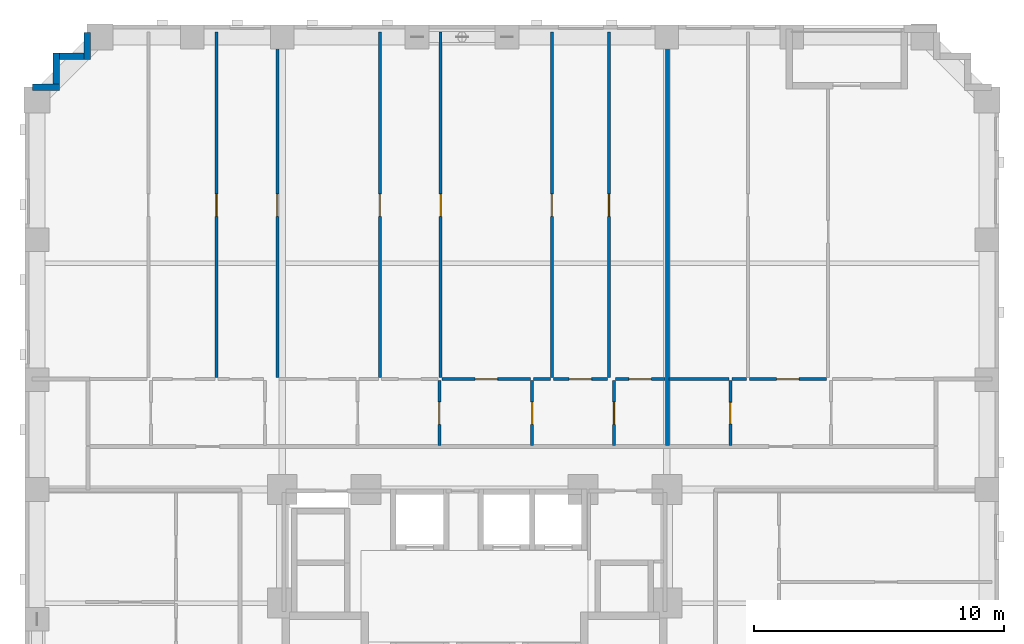
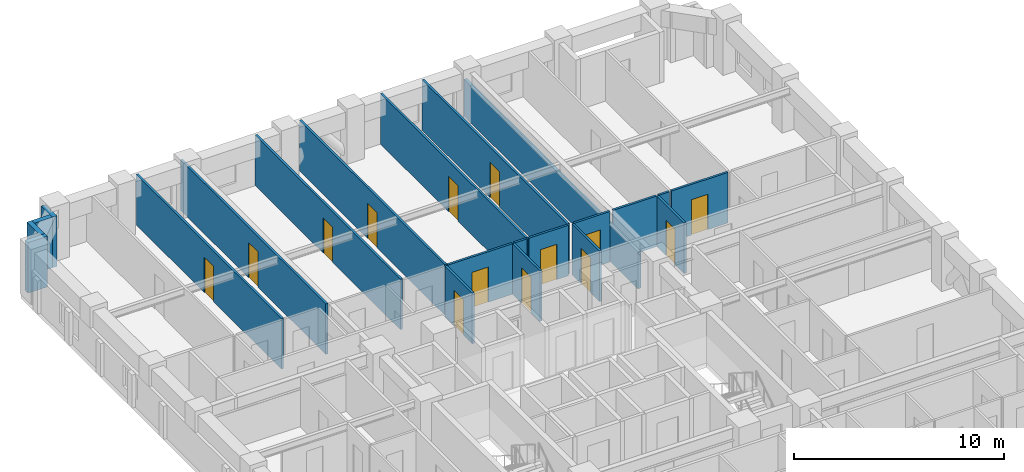
# One storey, part 8 of 14: 22 walls, 14 doors, 14 openings.
"""IFC4 building model written with IfcOpenShell, lengths in metres."""

from ifc_helpers import new_model, si_unit, derived_unit, direction, frame, frame_2d, origin, place, context, subcontext, project, spatial, rectangle, extrude, material, layer, layer_set, type_object, element, fill, save


model = new_model("IFC4")

# Units and contexts
model_context = context("Model", 3, precision=1e-05, world=origin(), true_north=direction((0.0, 1.0)))
body_context = subcontext(model_context, "Body", "Model", "MODEL_VIEW")
ifc_project = project(units=[si_unit("LENGTHUNIT", "METRE"), si_unit("AREAUNIT", "SQUARE_METRE"), si_unit("VOLUMEUNIT", "CUBIC_METRE"), si_unit("PLANEANGLEUNIT", "RADIAN"), si_unit("MASSUNIT", "GRAM", prefix="KILO"), derived_unit("THERMALTRANSMITTANCEUNIT", [(si_unit("MASSUNIT", "GRAM", prefix="KILO"), 1), (si_unit("TIMEUNIT", "SECOND"), -3), (si_unit("THERMODYNAMICTEMPERATUREUNIT", "KELVIN"), -1)])], contexts=[model_context])

# Site, building, storey
site_placement = place(None, origin())
site = spatial("IfcSite", under=ifc_project, at=site_placement, CompositionType="ELEMENT")
building_placement = place(site_placement, origin())
building = spatial("IfcBuilding", under=site, at=building_placement, Name="Korrvale Station Residences", CompositionType="ELEMENT")
storey_placement = place(building_placement, frame((0.0, 0.0, 29.0)))
storey = spatial("IfcBuildingStorey", under=building, at=storey_placement, Name="L06", CompositionType="ELEMENT", Elevation=29.0)

# Walls
ifc_material_1 = material(Name="Precast concrete C45/55", Category="concrete")
ifc_layer_1 = layer(ifc_material_1, 0.260009765625, Name="Precast concrete C45/55")
ifc_layer_set_1 = layer_set([ifc_layer_1], Name="Precast concrete C45/55")
wall_type_1 = type_object("IfcWallType", Name="WAL-EXT-LOG260", PredefinedType="SOLIDWALL", material=ifc_layer_set_1)
wall_1_placement = place(storey_placement, frame((7.802001953125, 45.10009765625, 0.0), z_axis=(0.0, 0.0, 1.0), x_axis=(1.0, 0.0, 0.0)))
element("IfcWall", 1, at=wall_1_placement, inside=storey, type_object=wall_type_1, Name="L06 Serrated Corner Precast Step NW-1", PredefinedType="SOLIDWALL", context=body_context, shape_type="SweptSolid", body=[
    extrude(rectangle(XDim=1.077880859375, YDim=0.260009765625, at=frame_2d((0.5390625, 0.0))), origin(), (0.0, 0.0, 1.0), 2.93994140625),
])
wall_2_placement = place(storey_placement, frame((8.75, 45.23193359375, 0.0), z_axis=(0.0, 0.0, 1.0), x_axis=(0.0, 1.0, 0.0)))
element("IfcWall", 2, at=wall_2_placement, inside=storey, type_object=wall_type_1, Name="L06 Serrated Corner Precast Step NW-2", PredefinedType="SOLIDWALL", context=body_context, shape_type="SweptSolid", body=[
    extrude(rectangle(XDim=1.248046875, YDim=0.260009765625, at=frame_2d((0.6240234375, 0.0))), origin(), (0.0, 0.0, 1.0), 2.93994140625),
])
wall_3_placement = place(storey_placement, frame((8.882080078125, 46.35009765625, 0.0), z_axis=(0.0, 0.0, 1.0), x_axis=(1.0, 0.0, 0.0)))
element("IfcWall", 3, at=wall_3_placement, inside=storey, type_object=wall_type_1, Name="L06 Serrated Corner Precast Step NW-3", PredefinedType="SOLIDWALL", context=body_context, shape_type="SweptSolid", body=[
    extrude(rectangle(XDim=0.98583984375, YDim=0.260009765625, at=frame_2d((0.492919921875, 0.0))), origin(), (0.0, 0.0, 1.0), 2.93994140625),
])
wall_4_placement = place(storey_placement, frame((10.0, 46.219970703125, 0.0), z_axis=(0.0, 0.0, 1.0), x_axis=(0.0, 1.0, 0.0)))
element("IfcWall", 4, at=wall_4_placement, inside=storey, type_object=wall_type_1, Name="L06 Serrated Corner Precast Step NW-4", PredefinedType="SOLIDWALL", context=body_context, shape_type="SweptSolid", body=[
    extrude(rectangle(XDim=1.078125, YDim=0.260009765625, at=frame_2d((0.5390625, 0.0))), origin(), (0.0, 0.0, 1.0), 2.93994140625),
])

# Wall, opening, door
ifc_material_2 = material(Name="Acoustic steel-stud gypsum board partition", Category="steel")
ifc_layer_2 = layer(ifc_material_2, 0.1201171875, Name="Acoustic steel-stud gypsum board partition")
ifc_layer_set_2 = layer_set([ifc_layer_2], Name="Acoustic steel-stud gypsum board partition")
wall_type_2 = type_object("IfcWallType", Name="WAL-PART-125", PredefinedType="PARTITIONING", material=ifc_layer_set_2)
wall_5_placement = place(storey_placement, frame((24.090087890625, 30.760009765625, 0.0), z_axis=(0.0, 0.0, 1.0), x_axis=(0.0, 1.0, 0.0)))
wall_5 = element("IfcWall", 5, at=wall_5_placement, inside=storey, type_object=wall_type_2, Name="L06 Suite Partition U02-V34", PredefinedType="PARTITIONING", context=body_context, shape_type="SweptSolid", body=[
    extrude(rectangle(XDim=2.60009765625, YDim=0.1201171875, at=frame_2d((1.300048828125, 0.0))), origin(), (0.0, 0.0, 1.0), 2.93994140625),
])
opening_1_placement = place(wall_5_placement, frame((0.85009765625, 0.0, 0.0)))
opening_1 = element("IfcOpeningElement", 6, at=opening_1_placement, cuts=wall_5, Name="Opening DI-900", PredefinedType="OPENING", context=body_context, shape_type="SweptSolid", body=[
    extrude(rectangle(XDim=0.89990234375, YDim=2.050048828125, at=frame_2d((0.449951171875, 1.02490234375))), frame((0.0, 0.070068359375, 0.0), z_axis=(0.0, -1.0, 0.0), x_axis=(1.0, 0.0, 0.0)), (0.0, 0.0, 1.0), 0.14013671875),
])
ifc_material_3 = material(Name="Painted solid-core timber interior room door", Category="wood")
door_type_1 = type_object("IfcDoorType", Name="DR-INT-900", OperationType="NOTDEFINED", PredefinedType="DOOR", material=ifc_material_3)
door_1_placement = place(opening_1_placement, origin())
door_1 = element("IfcDoor", 7, at=door_1_placement, inside=storey, type_object=door_type_1, Name="L06 Apartment 2BR L06-U02 Storage Closet 2 Door", OperationType="SINGLE_SWING_RIGHT", OverallHeight=2.050048828125, OverallWidth=0.89990234375, PredefinedType="DOOR", context=body_context, shape_type="SweptSolid", body=[
    extrude(rectangle(XDim=0.89990234375, YDim=2.050048828125, at=frame_2d((0.449951171875, 1.02490234375))), frame((0.0, 0.02490234375, 0.0), z_axis=(0.0, -1.0, 0.0), x_axis=(1.0, 0.0, 0.0)), (0.0, 0.0, 1.0), 0.050048828125),
])
fill(opening_1, door_1)

wall_6_placement = place(storey_placement, frame((27.81005859375, 30.760009765625, 0.0), z_axis=(0.0, 0.0, 1.0), x_axis=(0.0, 1.0, 0.0)))
wall_6 = element("IfcWall", 8, at=wall_6_placement, inside=storey, type_object=wall_type_2, Name="L06 Suite Partition U02-V45", PredefinedType="PARTITIONING", context=body_context, shape_type="SweptSolid", body=[
    extrude(rectangle(XDim=2.60009765625, YDim=0.1201171875, at=frame_2d((1.300048828125, 0.0))), origin(), (0.0, 0.0, 1.0), 2.93994140625),
])
opening_2_placement = place(wall_6_placement, frame((0.85009765625, 0.0, 0.0)))
opening_2 = element("IfcOpeningElement", 9, at=opening_2_placement, cuts=wall_6, Name="Opening DI-900", PredefinedType="OPENING", context=body_context, shape_type="SweptSolid", body=[
    extrude(rectangle(XDim=0.89990234375, YDim=2.050048828125, at=frame_2d((0.449951171875, 1.02490234375))), frame((0.0, 0.070068359375, 0.0), z_axis=(0.0, -1.0, 0.0), x_axis=(1.0, 0.0, 0.0)), (0.0, 0.0, 1.0), 0.14013671875),
])
door_2_placement = place(opening_2_placement, origin())
door_2 = element("IfcDoor", 10, at=door_2_placement, inside=storey, type_object=door_type_1, Name="L06 Apartment 2BR L06-U02 Storage Closet 3 Door", OperationType="SINGLE_SWING_RIGHT", OverallHeight=2.050048828125, OverallWidth=0.89990234375, PredefinedType="DOOR", context=body_context, shape_type="SweptSolid", body=[
    extrude(rectangle(XDim=0.89990234375, YDim=2.050048828125, at=frame_2d((0.449951171875, 1.02490234375))), frame((0.0, 0.02490234375, 0.0), z_axis=(0.0, -1.0, 0.0), x_axis=(1.0, 0.0, 0.0)), (0.0, 0.0, 1.0), 0.050048828125),
])
fill(opening_2, door_2)

wall_7_placement = place(storey_placement, frame((24.2041015625, 33.419921875, 0.0), z_axis=(0.0, 0.0, 1.0), x_axis=(1.0, 0.0, 0.0)))
wall_7 = element("IfcWall", 11, at=wall_7_placement, inside=storey, type_object=wall_type_2, Name="L06 Suite Partition U02-H412", PredefinedType="PARTITIONING", context=body_context, shape_type="SweptSolid", body=[
    extrude(rectangle(XDim=3.5458984375, YDim=0.1201171875, at=frame_2d((1.77294921875, 0.0))), origin(), (0.0, 0.0, 1.0), 2.93994140625),
])
opening_3_placement = place(wall_7_placement, frame((1.322998046875, 0.0, 0.0)))
opening_3 = element("IfcOpeningElement", 12, at=opening_3_placement, cuts=wall_7, Name="Opening DI-900", PredefinedType="OPENING", context=body_context, shape_type="SweptSolid", body=[
    extrude(rectangle(XDim=0.89990234375, YDim=2.050048828125, at=frame_2d((0.449951171875, 1.02490234375))), frame((0.0, 0.070068359375, 0.0), z_axis=(0.0, -1.0, 0.0), x_axis=(1.0, 0.0, 0.0)), (0.0, 0.0, 1.0), 0.14013671875),
])
door_3_placement = place(opening_3_placement, origin())
door_3 = element("IfcDoor", 13, at=door_3_placement, inside=storey, type_object=door_type_1, Name="L06 Apartment 2BR L06-U02 Storage Closet 3 Door", OperationType="SINGLE_SWING_LEFT", OverallHeight=2.050048828125, OverallWidth=0.89990234375, PredefinedType="DOOR", context=body_context, shape_type="SweptSolid", body=[
    extrude(rectangle(XDim=0.89990234375, YDim=2.050048828125, at=frame_2d((0.449951171875, 1.02490234375))), frame((0.0, 0.02490234375, 0.0), z_axis=(0.0, -1.0, 0.0), x_axis=(1.0, 0.0, 0.0)), (0.0, 0.0, 1.0), 0.050048828125),
])
fill(opening_3, door_3)

wall_8_placement = place(storey_placement, frame((31.080078125, 30.760009765625, 0.0), z_axis=(0.0, 0.0, 1.0), x_axis=(0.0, 1.0, 0.0)))
wall_8 = element("IfcWall", 14, at=wall_8_placement, inside=storey, type_object=wall_type_2, Name="L06 Suite Partition U02-V56", PredefinedType="PARTITIONING", context=body_context, shape_type="SweptSolid", body=[
    extrude(rectangle(XDim=2.60009765625, YDim=0.1201171875, at=frame_2d((1.300048828125, 0.0))), origin(), (0.0, 0.0, 1.0), 2.93994140625),
])
opening_4_placement = place(wall_8_placement, frame((0.85009765625, 0.0, 0.0)))
opening_4 = element("IfcOpeningElement", 15, at=opening_4_placement, cuts=wall_8, Name="Opening DI-900", PredefinedType="OPENING", context=body_context, shape_type="SweptSolid", body=[
    extrude(rectangle(XDim=0.89990234375, YDim=2.050048828125, at=frame_2d((0.449951171875, 1.02490234375))), frame((0.0, 0.070068359375, 0.0), z_axis=(0.0, -1.0, 0.0), x_axis=(1.0, 0.0, 0.0)), (0.0, 0.0, 1.0), 0.14013671875),
])
door_4_placement = place(opening_4_placement, origin())
door_4 = element("IfcDoor", 16, at=door_4_placement, inside=storey, type_object=door_type_1, Name="L06 Apartment 2BR L06-U02 Storage Closet 4 Door", OperationType="SINGLE_SWING_RIGHT", OverallHeight=2.050048828125, OverallWidth=0.89990234375, PredefinedType="DOOR", context=body_context, shape_type="SweptSolid", body=[
    extrude(rectangle(XDim=0.89990234375, YDim=2.050048828125, at=frame_2d((0.449951171875, 1.02490234375))), frame((0.0, 0.02490234375, 0.0), z_axis=(0.0, -1.0, 0.0), x_axis=(1.0, 0.0, 0.0)), (0.0, 0.0, 1.0), 0.050048828125),
])
fill(opening_4, door_4)

# Wall
wall_9_placement = place(storey_placement, frame((27.8701171875, 33.419921875, 0.0), z_axis=(0.0, 0.0, 1.0), x_axis=(1.0, 0.0, 0.0)))
element("IfcWall", 17, at=wall_9_placement, inside=storey, type_object=wall_type_2, Name="L06 Suite Partition U02-H512", PredefinedType="PARTITIONING", context=body_context, shape_type="SweptSolid", body=[
    extrude(rectangle(XDim=0.664794921875, YDim=0.1201171875, at=frame_2d((0.33251953125, 0.0))), origin(), (0.0, 0.0, 1.0), 2.93994140625),
])

# Wall, opening, door
wall_10_placement = place(storey_placement, frame((28.655029296875, 33.419921875, 0.0), z_axis=(0.0, 0.0, 1.0), x_axis=(1.0, 0.0, 0.0)))
wall_10 = element("IfcWall", 18, at=wall_10_placement, inside=storey, type_object=wall_type_2, Name="L06 Suite Partition U02-H513", PredefinedType="PARTITIONING", context=body_context, shape_type="SweptSolid", body=[
    extrude(rectangle(XDim=2.1728515625, YDim=0.1201171875, at=frame_2d((1.08642578125, 0.0))), origin(), (0.0, 0.0, 1.0), 2.93994140625),
])
opening_5_placement = place(wall_10_placement, frame((0.635986328125, 0.0, 0.0)))
opening_5 = element("IfcOpeningElement", 19, at=opening_5_placement, cuts=wall_10, Name="Opening DI-900", PredefinedType="OPENING", context=body_context, shape_type="SweptSolid", body=[
    extrude(rectangle(XDim=0.89990234375, YDim=2.050048828125, at=frame_2d((0.449951171875, 1.02490234375))), frame((0.0, 0.070068359375, 0.0), z_axis=(0.0, -1.0, 0.0), x_axis=(1.0, 0.0, 0.0)), (0.0, 0.0, 1.0), 0.14013671875),
])
door_5_placement = place(opening_5_placement, origin())
door_5 = element("IfcDoor", 20, at=door_5_placement, inside=storey, type_object=door_type_1, Name="L06 Apartment 2BR L06-U02 Storage Closet 4 Door", OperationType="SINGLE_SWING_LEFT", OverallHeight=2.050048828125, OverallWidth=0.89990234375, PredefinedType="DOOR", context=body_context, shape_type="SweptSolid", body=[
    extrude(rectangle(XDim=0.89990234375, YDim=2.050048828125, at=frame_2d((0.449951171875, 1.02490234375))), frame((0.0, 0.02490234375, 0.0), z_axis=(0.0, -1.0, 0.0), x_axis=(1.0, 0.0, 0.0)), (0.0, 0.0, 1.0), 0.050048828125),
])
fill(opening_5, door_5)

wall_11_placement = place(storey_placement, frame((31.139892578125, 33.419921875, 0.0), z_axis=(0.0, 0.0, 1.0), x_axis=(1.0, 0.0, 0.0)))
wall_11 = element("IfcWall", 21, at=wall_11_placement, inside=storey, type_object=wall_type_2, Name="L06 Suite Partition U02-H614", PredefinedType="PARTITIONING", context=body_context, shape_type="SweptSolid", body=[
    extrude(rectangle(XDim=1.980224609375, YDim=0.1201171875, at=frame_2d((0.990234375, 0.0))), origin(), (0.0, 0.0, 1.0), 2.93994140625),
])
opening_6_placement = place(wall_11_placement, frame((0.5400390625, 0.0, 0.0)))
opening_6 = element("IfcOpeningElement", 22, at=opening_6_placement, cuts=wall_11, Name="Opening DI-900", PredefinedType="OPENING", context=body_context, shape_type="SweptSolid", body=[
    extrude(rectangle(XDim=0.89990234375, YDim=2.050048828125, at=frame_2d((0.449951171875, 1.02490234375))), frame((0.0, 0.070068359375, 0.0), z_axis=(0.0, -1.0, 0.0), x_axis=(1.0, 0.0, 0.0)), (0.0, 0.0, 1.0), 0.14013671875),
])
door_6_placement = place(opening_6_placement, origin())
door_6 = element("IfcDoor", 23, at=door_6_placement, inside=storey, type_object=door_type_1, Name="L06 Apartment 2BR L06-U02 Storage Closet 5 Door", OperationType="SINGLE_SWING_RIGHT", OverallHeight=2.050048828125, OverallWidth=0.89990234375, PredefinedType="DOOR", context=body_context, shape_type="SweptSolid", body=[
    extrude(rectangle(XDim=0.89990234375, YDim=2.050048828125, at=frame_2d((0.449951171875, 1.02490234375))), frame((0.0, 0.02490234375, 0.0), z_axis=(0.0, -1.0, 0.0), x_axis=(1.0, 0.0, 0.0)), (0.0, 0.0, 1.0), 0.050048828125),
])
fill(opening_6, door_6)

wall_12_placement = place(storey_placement, frame((15.1669921875, 33.47998046875, 0.0), z_axis=(0.0, 0.0, 1.0), x_axis=(0.0, 1.0, 0.0)))
wall_12 = element("IfcWall", 24, at=wall_12_placement, inside=storey, type_object=wall_type_2, Name="L06 Suite Partition U02-V89", PredefinedType="PARTITIONING", context=body_context, shape_type="SweptSolid", body=[
    extrude(rectangle(XDim=13.840087890625, YDim=0.1201171875, at=frame_2d((6.919921875, 0.0))), origin(), (0.0, 0.0, 1.0), 2.93994140625),
])
opening_7_placement = place(wall_12_placement, frame((6.455078125, 0.0, 0.0)))
opening_7 = element("IfcOpeningElement", 25, at=opening_7_placement, cuts=wall_12, Name="Opening DI-900", PredefinedType="OPENING", context=body_context, shape_type="SweptSolid", body=[
    extrude(rectangle(XDim=0.89990234375, YDim=2.050048828125, at=frame_2d((0.449951171875, 1.02490234375))), frame((0.0, 0.070068359375, 0.0), z_axis=(0.0, -1.0, 0.0), x_axis=(1.0, 0.0, 0.0)), (0.0, 0.0, 1.0), 0.14013671875),
])
door_7_placement = place(opening_7_placement, origin())
door_7 = element("IfcDoor", 26, at=door_7_placement, inside=storey, type_object=door_type_1, Name="L06 Apartment 2BR L06-U02 Wardrobe Storage Room Door", OperationType="SINGLE_SWING_RIGHT", OverallHeight=2.050048828125, OverallWidth=0.89990234375, PredefinedType="DOOR", context=body_context, shape_type="SweptSolid", body=[
    extrude(rectangle(XDim=0.89990234375, YDim=2.050048828125, at=frame_2d((0.449951171875, 1.02490234375))), frame((0.0, 0.02490234375, 0.0), z_axis=(0.0, -1.0, 0.0), x_axis=(1.0, 0.0, 0.0)), (0.0, 0.0, 1.0), 0.050048828125),
])
fill(opening_7, door_7)

wall_13_placement = place(storey_placement, frame((17.60400390625, 33.47998046875, 0.0), z_axis=(0.0, 0.0, 1.0), x_axis=(0.0, 1.0, 0.0)))
wall_13 = element("IfcWall", 27, at=wall_13_placement, inside=storey, type_object=wall_type_2, Name="L06 Suite Partition U02-V910", PredefinedType="PARTITIONING", context=body_context, shape_type="SweptSolid", body=[
    extrude(rectangle(XDim=13.840087890625, YDim=0.1201171875, at=frame_2d((6.919921875, 0.0))), origin(), (0.0, 0.0, 1.0), 2.93994140625),
])
opening_8_placement = place(wall_13_placement, frame((6.455078125, 0.0, 0.0)))
opening_8 = element("IfcOpeningElement", 28, at=opening_8_placement, cuts=wall_13, Name="Opening DI-900", PredefinedType="OPENING", context=body_context, shape_type="SweptSolid", body=[
    extrude(rectangle(XDim=0.89990234375, YDim=2.050048828125, at=frame_2d((0.449951171875, 1.02490234375))), frame((0.0, 0.070068359375, 0.0), z_axis=(0.0, -1.0, 0.0), x_axis=(1.0, 0.0, 0.0)), (0.0, 0.0, 1.0), 0.14013671875),
])
door_8_placement = place(opening_8_placement, origin())
door_8 = element("IfcDoor", 29, at=door_8_placement, inside=storey, type_object=door_type_1, Name="L06 Apartment 2BR L06-U02 Home Study Room Door", OperationType="SINGLE_SWING_LEFT", OverallHeight=2.050048828125, OverallWidth=0.89990234375, PredefinedType="DOOR", context=body_context, shape_type="SweptSolid", body=[
    extrude(rectangle(XDim=0.89990234375, YDim=2.050048828125, at=frame_2d((0.449951171875, 1.02490234375))), frame((0.0, 0.02490234375, 0.0), z_axis=(0.0, -1.0, 0.0), x_axis=(1.0, 0.0, 0.0)), (0.0, 0.0, 1.0), 0.050048828125),
])
fill(opening_8, door_8)

wall_14_placement = place(storey_placement, frame((21.70703125, 33.47998046875, 0.0), z_axis=(0.0, 0.0, 1.0), x_axis=(0.0, 1.0, 0.0)))
wall_14 = element("IfcWall", 30, at=wall_14_placement, inside=storey, type_object=wall_type_2, Name="L06 Suite Partition U02-V1011", PredefinedType="PARTITIONING", context=body_context, shape_type="SweptSolid", body=[
    extrude(rectangle(XDim=13.840087890625, YDim=0.1201171875, at=frame_2d((6.919921875, 0.0))), origin(), (0.0, 0.0, 1.0), 2.93994140625),
])
opening_9_placement = place(wall_14_placement, frame((6.455078125, 0.0, 0.0)))
opening_9 = element("IfcOpeningElement", 31, at=opening_9_placement, cuts=wall_14, Name="Opening DI-900", PredefinedType="OPENING", context=body_context, shape_type="SweptSolid", body=[
    extrude(rectangle(XDim=0.89990234375, YDim=2.050048828125, at=frame_2d((0.449951171875, 1.02490234375))), frame((0.0, 0.070068359375, 0.0), z_axis=(0.0, -1.0, 0.0), x_axis=(1.0, 0.0, 0.0)), (0.0, 0.0, 1.0), 0.14013671875),
])
door_9_placement = place(opening_9_placement, origin())
door_9 = element("IfcDoor", 32, at=door_9_placement, inside=storey, type_object=door_type_1, Name="L06 Apartment 2BR L06-U02 Family Lounge Room Door", OperationType="SINGLE_SWING_RIGHT", OverallHeight=2.050048828125, OverallWidth=0.89990234375, PredefinedType="DOOR", context=body_context, shape_type="SweptSolid", body=[
    extrude(rectangle(XDim=0.89990234375, YDim=2.050048828125, at=frame_2d((0.449951171875, 1.02490234375))), frame((0.0, 0.02490234375, 0.0), z_axis=(0.0, -1.0, 0.0), x_axis=(1.0, 0.0, 0.0)), (0.0, 0.0, 1.0), 0.050048828125),
])
fill(opening_9, door_9)

wall_15_placement = place(storey_placement, frame((24.14404296875, 33.47998046875, 0.0), z_axis=(0.0, 0.0, 1.0), x_axis=(0.0, 1.0, 0.0)))
wall_15 = element("IfcWall", 33, at=wall_15_placement, inside=storey, type_object=wall_type_2, Name="L06 Suite Partition U02-V1112", PredefinedType="PARTITIONING", context=body_context, shape_type="SweptSolid", body=[
    extrude(rectangle(XDim=13.840087890625, YDim=0.1201171875, at=frame_2d((6.919921875, 0.0))), origin(), (0.0, 0.0, 1.0), 2.93994140625),
])
opening_10_placement = place(wall_15_placement, frame((6.455078125, 0.0, 0.0)))
opening_10 = element("IfcOpeningElement", 34, at=opening_10_placement, cuts=wall_15, Name="Opening DI-900", PredefinedType="OPENING", context=body_context, shape_type="SweptSolid", body=[
    extrude(rectangle(XDim=0.89990234375, YDim=2.050048828125, at=frame_2d((0.449951171875, 1.02490234375))), frame((0.0, 0.070068359375, 0.0), z_axis=(0.0, -1.0, 0.0), x_axis=(1.0, 0.0, 0.0)), (0.0, 0.0, 1.0), 0.14013671875),
])
door_10_placement = place(opening_10_placement, origin())
door_10 = element("IfcDoor", 35, at=door_10_placement, inside=storey, type_object=door_type_1, Name="L06 Apartment 2BR L06-U02 Wardrobe Storage Room Door", OperationType="SINGLE_SWING_LEFT", OverallHeight=2.050048828125, OverallWidth=0.89990234375, PredefinedType="DOOR", context=body_context, shape_type="SweptSolid", body=[
    extrude(rectangle(XDim=0.89990234375, YDim=2.050048828125, at=frame_2d((0.449951171875, 1.02490234375))), frame((0.0, 0.02490234375, 0.0), z_axis=(0.0, -1.0, 0.0), x_axis=(1.0, 0.0, 0.0)), (0.0, 0.0, 1.0), 0.050048828125),
])
fill(opening_10, door_10)

wall_16_placement = place(storey_placement, frame((28.594970703125, 33.47998046875, 0.0), z_axis=(0.0, 0.0, 1.0), x_axis=(0.0, 1.0, 0.0)))
wall_16 = element("IfcWall", 36, at=wall_16_placement, inside=storey, type_object=wall_type_2, Name="L06 Suite Partition U02-V1213", PredefinedType="PARTITIONING", context=body_context, shape_type="SweptSolid", body=[
    extrude(rectangle(XDim=13.840087890625, YDim=0.1201171875, at=frame_2d((6.919921875, 0.0))), origin(), (0.0, 0.0, 1.0), 2.93994140625),
])
opening_11_placement = place(wall_16_placement, frame((6.455078125, 0.0, 0.0)))
opening_11 = element("IfcOpeningElement", 37, at=opening_11_placement, cuts=wall_16, Name="Opening DI-900", PredefinedType="OPENING", context=body_context, shape_type="SweptSolid", body=[
    extrude(rectangle(XDim=0.89990234375, YDim=2.050048828125, at=frame_2d((0.449951171875, 1.02490234375))), frame((0.0, 0.070068359375, 0.0), z_axis=(0.0, -1.0, 0.0), x_axis=(1.0, 0.0, 0.0)), (0.0, 0.0, 1.0), 0.14013671875),
])
door_11_placement = place(opening_11_placement, origin())
door_11 = element("IfcDoor", 38, at=door_11_placement, inside=storey, type_object=door_type_1, Name="L06 Apartment 2BR L06-U02 Wardrobe Storage Room Door", OperationType="SINGLE_SWING_RIGHT", OverallHeight=2.050048828125, OverallWidth=0.89990234375, PredefinedType="DOOR", context=body_context, shape_type="SweptSolid", body=[
    extrude(rectangle(XDim=0.89990234375, YDim=2.050048828125, at=frame_2d((0.449951171875, 1.02490234375))), frame((0.0, 0.02490234375, 0.0), z_axis=(0.0, -1.0, 0.0), x_axis=(1.0, 0.0, 0.0)), (0.0, 0.0, 1.0), 0.050048828125),
])
fill(opening_11, door_11)

wall_17_placement = place(storey_placement, frame((30.887939453125, 33.47998046875, 0.0), z_axis=(0.0, 0.0, 1.0), x_axis=(0.0, 1.0, 0.0)))
wall_17 = element("IfcWall", 39, at=wall_17_placement, inside=storey, type_object=wall_type_2, Name="L06 Suite Partition U02-V1314", PredefinedType="PARTITIONING", context=body_context, shape_type="SweptSolid", body=[
    extrude(rectangle(XDim=13.840087890625, YDim=0.1201171875, at=frame_2d((6.919921875, 0.0))), origin(), (0.0, 0.0, 1.0), 2.93994140625),
])
opening_12_placement = place(wall_17_placement, frame((6.455078125, 0.0, 0.0)))
opening_12 = element("IfcOpeningElement", 40, at=opening_12_placement, cuts=wall_17, Name="Opening DI-900", PredefinedType="OPENING", context=body_context, shape_type="SweptSolid", body=[
    extrude(rectangle(XDim=0.89990234375, YDim=2.050048828125, at=frame_2d((0.449951171875, 1.02490234375))), frame((0.0, 0.070068359375, 0.0), z_axis=(0.0, -1.0, 0.0), x_axis=(1.0, 0.0, 0.0)), (0.0, 0.0, 1.0), 0.14013671875),
])
door_12_placement = place(opening_12_placement, origin())
door_12 = element("IfcDoor", 41, at=door_12_placement, inside=storey, type_object=door_type_1, Name="L06 Apartment 2BR L06-U02 Bedroom 1 Door", OperationType="SINGLE_SWING_LEFT", OverallHeight=2.050048828125, OverallWidth=0.89990234375, PredefinedType="DOOR", context=body_context, shape_type="SweptSolid", body=[
    extrude(rectangle(XDim=0.89990234375, YDim=2.050048828125, at=frame_2d((0.449951171875, 1.02490234375))), frame((0.0, 0.02490234375, 0.0), z_axis=(0.0, -1.0, 0.0), x_axis=(1.0, 0.0, 0.0)), (0.0, 0.0, 1.0), 0.050048828125),
])
fill(opening_12, door_12)

wall_18_placement = place(storey_placement, frame((35.739990234375, 30.760009765625, 0.0), z_axis=(0.0, 0.0, 1.0), x_axis=(0.0, 1.0, 0.0)))
wall_18 = element("IfcWall", 42, at=wall_18_placement, inside=storey, type_object=wall_type_2, Name="L06 Suite Partition U03-V01", PredefinedType="PARTITIONING", context=body_context, shape_type="SweptSolid", body=[
    extrude(rectangle(XDim=2.60009765625, YDim=0.1201171875, at=frame_2d((1.300048828125, 0.0))), origin(), (0.0, 0.0, 1.0), 2.93994140625),
])
opening_13_placement = place(wall_18_placement, frame((0.8701171875, 0.0, 0.0)))
opening_13 = element("IfcOpeningElement", 43, at=opening_13_placement, cuts=wall_18, Name="Opening DB-860", PredefinedType="OPENING", context=body_context, shape_type="SweptSolid", body=[
    extrude(rectangle(XDim=0.860107421875, YDim=2.050048828125, at=frame_2d((0.43017578125, 1.02490234375))), frame((0.0, 0.070068359375, 0.0), z_axis=(0.0, -1.0, 0.0), x_axis=(1.0, 0.0, 0.0)), (0.0, 0.0, 1.0), 0.14013671875),
])
ifc_material_4 = material(Name="Moisture-resistant solid-core bathroom door", Category="timber")
door_type_2 = type_object("IfcDoorType", Name="DR-BATH-860", OperationType="NOTDEFINED", PredefinedType="DOOR", material=ifc_material_4)
door_13_placement = place(opening_13_placement, origin())
door_13 = element("IfcDoor", 44, at=door_13_placement, inside=storey, type_object=door_type_2, Name="L06 Studio Apartment L06-U03 Bathroom Door", OperationType="SINGLE_SWING_RIGHT", OverallHeight=2.050048828125, OverallWidth=0.860107421875, PredefinedType="DOOR", context=body_context, shape_type="SweptSolid", body=[
    extrude(rectangle(XDim=0.860107421875, YDim=2.050048828125, at=frame_2d((0.43017578125, 1.02490234375))), frame((0.0, 0.02490234375, 0.0), z_axis=(0.0, -1.0, 0.0), x_axis=(1.0, 0.0, 0.0)), (0.0, 0.0, 1.0), 0.050048828125),
])
fill(opening_13, door_13)

# Walls
wall_19_placement = place(storey_placement, frame((33.280029296875, 33.419921875, 0.0), z_axis=(0.0, 0.0, 1.0), x_axis=(1.0, 0.0, 0.0)))
element("IfcWall", 45, at=wall_19_placement, inside=storey, type_object=wall_type_2, Name="L06 Suite Partition U03-H03", PredefinedType="PARTITIONING", context=body_context, shape_type="SweptSolid", body=[
    extrude(rectangle(XDim=2.39990234375, YDim=0.1201171875, at=frame_2d((1.199951171875, 0.0))), origin(), (0.0, 0.0, 1.0), 2.93994140625),
])
wall_20_placement = place(storey_placement, frame((35.800048828125, 33.419921875, 0.0), z_axis=(0.0, 0.0, 1.0), x_axis=(1.0, 0.0, 0.0)))
element("IfcWall", 46, at=wall_20_placement, inside=storey, type_object=wall_type_2, Name="L06 Suite Partition U03-H13", PredefinedType="PARTITIONING", context=body_context, shape_type="SweptSolid", body=[
    extrude(rectangle(XDim=0.579833984375, YDim=0.1201171875, at=frame_2d((0.2900390625, 0.0))), origin(), (0.0, 0.0, 1.0), 2.93994140625),
])

# Wall, opening, door
wall_21_placement = place(storey_placement, frame((36.5, 33.419921875, 0.0), z_axis=(0.0, 0.0, 1.0), x_axis=(1.0, 0.0, 0.0)))
wall_21 = element("IfcWall", 47, at=wall_21_placement, inside=storey, type_object=wall_type_2, Name="L06 Suite Partition U03-H14", PredefinedType="PARTITIONING", context=body_context, shape_type="SweptSolid", body=[
    extrude(rectangle(XDim=3.10009765625, YDim=0.1201171875, at=frame_2d((1.550048828125, 0.0))), origin(), (0.0, 0.0, 1.0), 2.93994140625),
])
opening_14_placement = place(wall_21_placement, frame((1.10009765625, 0.0, 0.0)))
opening_14 = element("IfcOpeningElement", 48, at=opening_14_placement, cuts=wall_21, Name="Opening DI-900", PredefinedType="OPENING", context=body_context, shape_type="SweptSolid", body=[
    extrude(rectangle(XDim=0.89990234375, YDim=2.050048828125, at=frame_2d((0.449951171875, 1.02490234375))), frame((0.0, 0.070068359375, 0.0), z_axis=(0.0, -1.0, 0.0), x_axis=(1.0, 0.0, 0.0)), (0.0, 0.0, 1.0), 0.14013671875),
])
door_14_placement = place(opening_14_placement, origin())
door_14 = element("IfcDoor", 49, at=door_14_placement, inside=storey, type_object=door_type_1, Name="L06 Studio Apartment L06-U03 Kitchen Door", OperationType="SINGLE_SWING_RIGHT", OverallHeight=2.050048828125, OverallWidth=0.89990234375, PredefinedType="DOOR", context=body_context, shape_type="SweptSolid", body=[
    extrude(rectangle(XDim=0.89990234375, YDim=2.050048828125, at=frame_2d((0.449951171875, 1.02490234375))), frame((0.0, 0.02490234375, 0.0), z_axis=(0.0, -1.0, 0.0), x_axis=(1.0, 0.0, 0.0)), (0.0, 0.0, 1.0), 0.050048828125),
])
fill(opening_14, door_14)

# Wall
ifc_material_5 = material(Name="Fire-rated twin-stud gypsum and mineral wool shaftwall assembly", Category="gypsum")
ifc_layer_3 = layer(ifc_material_5, 0.159912109375, Name="Fire-rated twin-stud gypsum and mineral wool shaftwall assembly")
ifc_layer_set_3 = layer_set([ifc_layer_3], Name="Fire-rated twin-stud gypsum and mineral wool shaftwall assembly")
wall_type_3 = type_object("IfcWallType", Name="WAL-PART-200", PredefinedType="PARTITIONING", material=ifc_layer_set_3)
wall_22_placement = place(storey_placement, frame((33.219970703125, 30.760009765625, 0.0), z_axis=(0.0, 0.0, 1.0), x_axis=(0.0, 1.0, 0.0)))
element("IfcWall", 50, at=wall_22_placement, inside=storey, type_object=wall_type_3, Name="L06 Demising Wall U03-W", PredefinedType="PARTITIONING", context=body_context, shape_type="SweptSolid", body=[
    extrude(rectangle(XDim=16.56005859375, YDim=0.159912109375, at=frame_2d((8.280029296875, 0.0))), origin(), (0.0, 0.0, 1.0), 2.155029296875),
])

save(model, "model.ifc")
